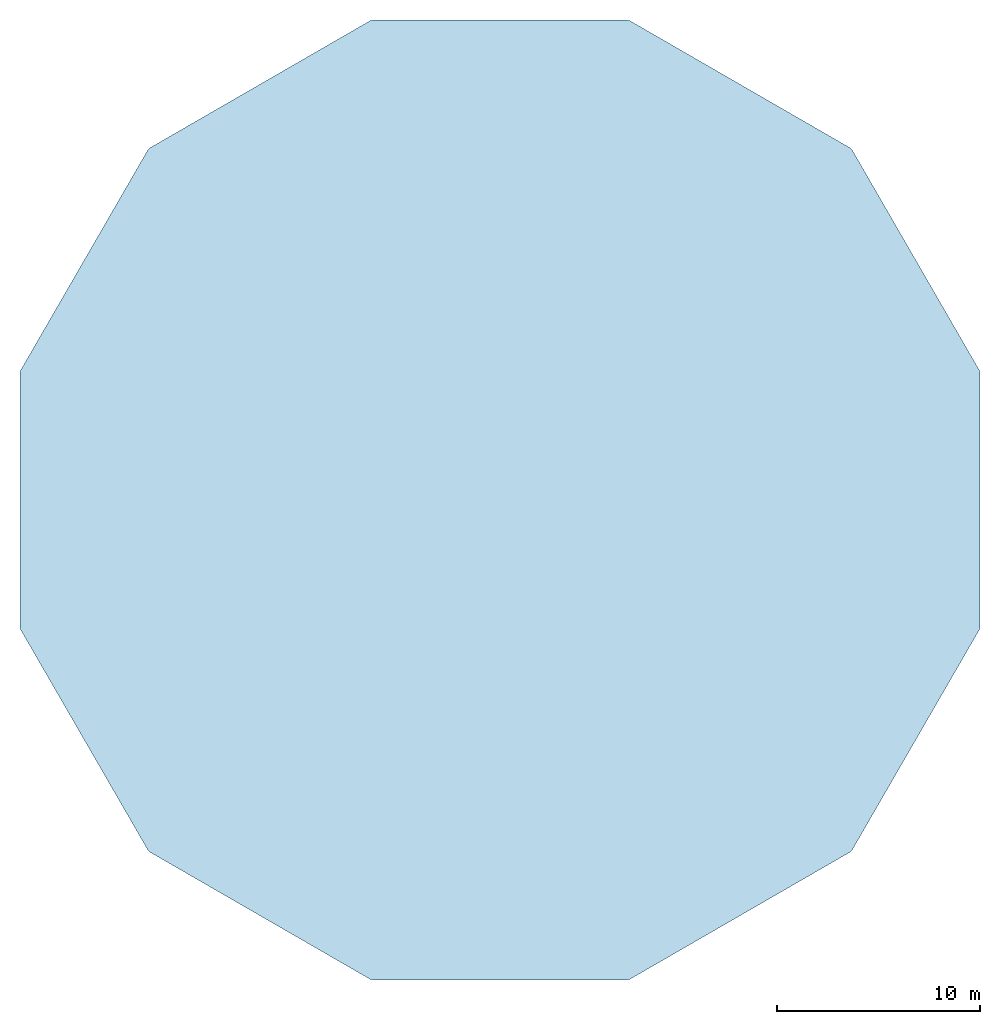
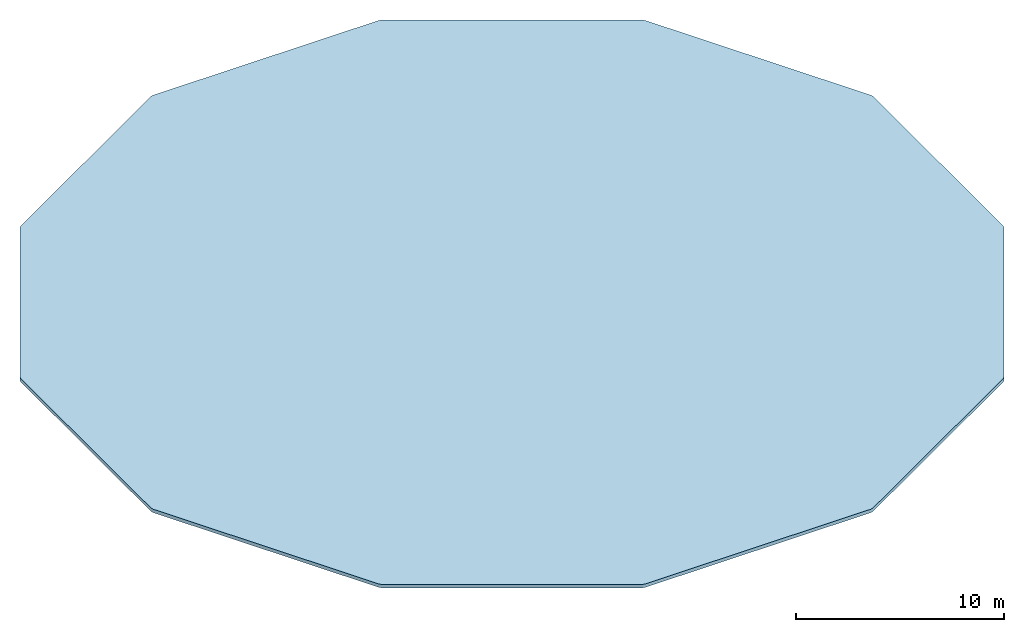
# One storey: 1 slab.
"""IFC4 building model written with IfcOpenShell, lengths in metres."""

from ifc_helpers import new_model, si_unit, direction, frame, origin, place, context, subcontext, project, spatial, polyline, outline, extrude, material, layer, layer_set, type_object, element, save


model = new_model("IFC4")

# Units and contexts
model_context = context("Model", 3, precision=1e-05, world=origin(), true_north=direction((0.0, 1.0)))
body_context = subcontext(model_context, "Body", "Model", "MODEL_VIEW")
ifc_project = project(units=[si_unit("LENGTHUNIT", "METRE"), si_unit("AREAUNIT", "SQUARE_METRE"), si_unit("VOLUMEUNIT", "CUBIC_METRE"), si_unit("PLANEANGLEUNIT", "RADIAN"), si_unit("MASSUNIT", "GRAM", prefix="KILO")], contexts=[model_context])

# Site, building, storey
site_placement = place(None, origin())
site = spatial("IfcSite", under=ifc_project, at=site_placement, CompositionType="ELEMENT")
building_placement = place(site_placement, origin())
building = spatial("IfcBuilding", under=site, at=building_placement, Name="Sahrelin Media Tower", CompositionType="ELEMENT")
storey_placement = place(building_placement, frame((0.0, 0.0, 363.60009765625)))
storey = spatial("IfcBuildingStorey", under=building, at=storey_placement, Name="Roof crown cap", CompositionType="ELEMENT", Elevation=363.60009765625)

# Slab
ifc_material = material(Name="Concrete C40/50", Category="concrete")
ifc_layer = layer(ifc_material, 0.199951171875)
ifc_layer_set = layer_set([ifc_layer], Name="Crown cap roof slab")
slab_type = type_object("IfcSlabType", Name="Crown cap roof slab", PredefinedType="ROOF", material=ifc_layer_set)
slab_placement = place(storey_placement, origin())
element("IfcSlab", 1, at=slab_placement, inside=storey, type_object=slab_type, Name="Crown cap roof slab", PredefinedType="ROOF", context=body_context, shape_type="SweptSolid", body=[
    extrude(outline(polyline([(-6.259033203125, 23.605224609375), (6.259033203125, 23.605224609375), (6.382080078125, 23.572265625), (17.22314453125, 17.313232421875), (17.313232421875, 17.22314453125), (23.572265625, 6.382080078125), (23.605224609375, 6.259033203125), (23.605224609375, -6.259033203125), (23.572265625, -6.382080078125), (17.313232421875, -17.22314453125), (17.22314453125, -17.313232421875), (6.382080078125, -23.572265625), (6.259033203125, -23.605224609375), (-6.259033203125, -23.605224609375), (-6.382080078125, -23.572265625), (-17.22314453125, -17.313232421875), (-17.313232421875, -17.22314453125), (-23.572265625, -6.382080078125), (-23.605224609375, -6.259033203125), (-23.605224609375, 6.259033203125), (-23.572265625, 6.382080078125), (-17.313232421875, 17.22314453125), (-17.22314453125, 17.313232421875), (-6.382080078125, 23.572265625), (-6.259033203125, 23.605224609375)])), origin(), (0.0, 0.0, 1.0), 0.199951171875),
])

save(model, "model.ifc")
